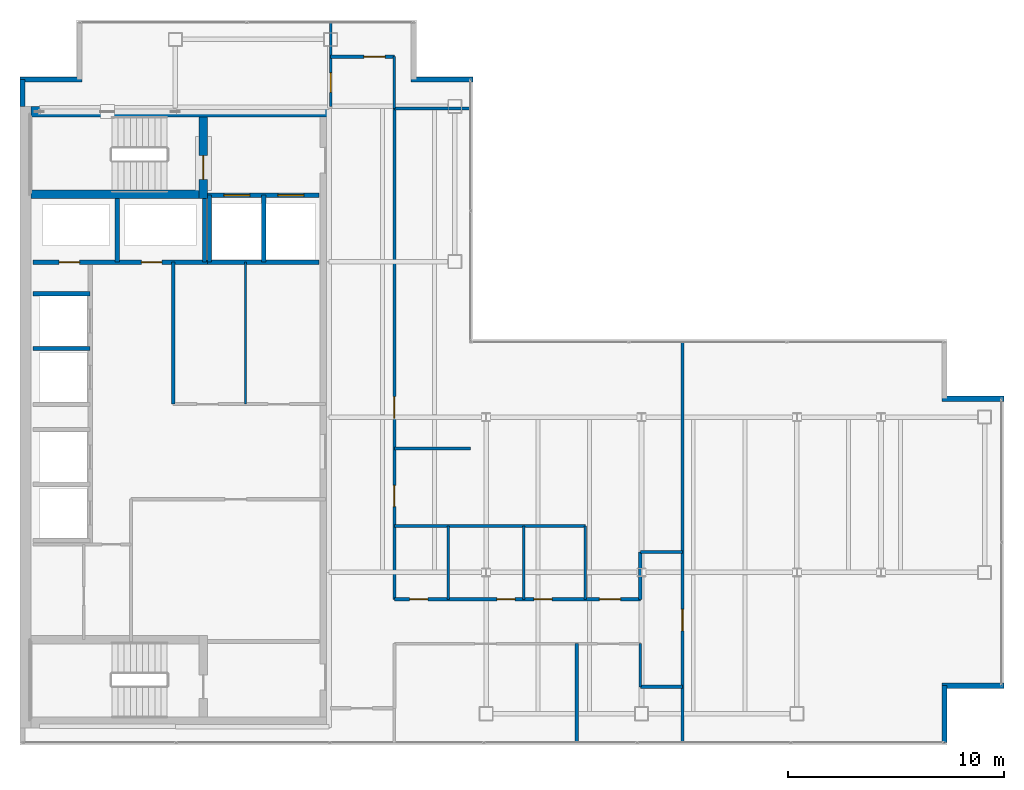
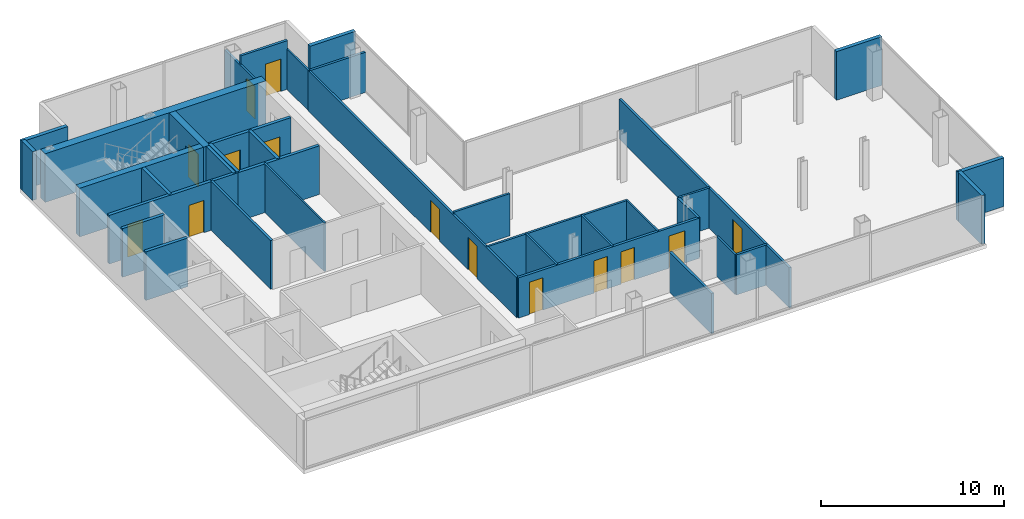
# One storey, part 21 of 23: 37 walls, 14 doors, 14 openings.
"""IFC4 building model written with IfcOpenShell, lengths in metres."""

from ifc_helpers import new_model, si_unit, direction, frame, frame_2d, origin, place, context, subcontext, project, spatial, rectangle, extrude, material, layer, layer_set, type_object, element, fill, save


model = new_model("IFC4")

# Units and contexts
model_context = context("Model", 3, precision=1e-05, world=origin(), true_north=direction((0.0, 1.0)))
body_context = subcontext(model_context, "Body", "Model", "MODEL_VIEW")
ifc_project = project(units=[si_unit("LENGTHUNIT", "METRE"), si_unit("AREAUNIT", "SQUARE_METRE"), si_unit("VOLUMEUNIT", "CUBIC_METRE"), si_unit("PLANEANGLEUNIT", "RADIAN"), si_unit("MASSUNIT", "GRAM", prefix="KILO")], contexts=[model_context])

# Site, building, storey
site_placement = place(None, origin())
site = spatial("IfcSite", under=ifc_project, at=site_placement, CompositionType="ELEMENT")
building_placement = place(site_placement, origin())
building = spatial("IfcBuilding", under=site, at=building_placement, Name="Cobrela Telecom Tower", CompositionType="ELEMENT")
storey_placement = place(building_placement, frame((0.0, 0.0, 276.14990234375)))
storey = spatial("IfcBuildingStorey", under=building, at=storey_placement, Name="L72", CompositionType="ELEMENT", Elevation=276.14990234375)

# Walls
ifc_material_1 = material(Name="Concrete C40/50", Category="concrete")
ifc_layer_1 = layer(ifc_material_1, 0.5)
ifc_layer_set_1 = layer_set([ifc_layer_1], Name="Concrete C40/50")
wall_type_1 = type_object("IfcWallType", Name="WALL-CORE-C40-500", PredefinedType="SHEAR", material=ifc_layer_set_1)
wall_1_placement = place(storey_placement, frame((0.5, 35.75, 0.0), z_axis=(0.0, 0.0, 1.0), x_axis=(1.0, 0.0, 0.0)))
element("IfcWall", 1, at=wall_1_placement, inside=storey, type_object=wall_type_1, Name="L72 North Core Shear Wall", PredefinedType="SHEAR", context=body_context, shape_type="SweptSolid", body=[
    extrude(rectangle(XDim=13.89990234375, YDim=0.5, at=frame_2d((6.949951171875, 0.0))), origin(), (0.0, 0.0, 1.0), 3.239990234375),
])
ifc_layer_2 = layer(ifc_material_1, 0.239990234375)
ifc_layer_set_2 = layer_set([ifc_layer_2], Name="Concrete C40/50")
wall_type_2 = type_object("IfcWallType", Name="WALL-EXT-300", PredefinedType="STANDARD", material=ifc_layer_set_2)
wall_2_placement = place(storey_placement, frame((0.1201171875, 36.0, 0.0), z_axis=(0.0, 0.0, 1.0), x_axis=(0.0, 1.0, 0.0)))
element("IfcWall", 2, at=wall_2_placement, inside=storey, type_object=wall_type_2, Name="L72 Insulated Facade Wall 02", PredefinedType="STANDARD", context=body_context, shape_type="SweptSolid", body=[
    extrude(rectangle(XDim=1.25, YDim=0.239990234375, at=frame_2d((0.625, 0.0))), origin(), (0.0, 0.0, 1.0), 3.239990234375),
])
for number, where, z_axis, x_axis, name in (
    (3, (0.0, 37.25, 0.0), (0.0, 0.0, 1.0), (1.0, 0.0, 0.0), "L72 Insulated Facade Wall 03"),
    (4, (18.1298828125, 37.25, 0.0), (0.0, 0.0, 1.0), (1.0, 0.0, 0.0), "L72 Insulated Facade Wall 07"),
    (5, (42.72998046875, 22.449951171875, 0.0), (0.0, 0.0, 1.0), (1.0, 0.0, 0.0), "L72 Insulated Facade Wall 11"),
    (6, (45.60009765625, 9.14990234375, 0.0), (0.0, 0.0, 1.0), (-1.0, 0.0, 0.0), "L72 Insulated Facade Wall 13"),
):
    element("IfcWall", number, at=place(storey_placement, frame(where, z_axis=z_axis, x_axis=x_axis)), inside=storey, type_object=wall_type_2, Name=name, PredefinedType="STANDARD", context=body_context, shape_type="SweptSolid", body=[
        extrude(rectangle(XDim=2.8701171875, YDim=0.239990234375, at=frame_2d((1.43505859375, 0.0))), origin(), (0.0, 0.0, 1.0), 3.239990234375),
    ])
wall_3_placement = place(storey_placement, frame((42.85009765625, 9.14990234375, 0.0), z_axis=(0.0, 0.0, 1.0), x_axis=(0.0, -1.0, 0.0)))
element("IfcWall", 7, at=wall_3_placement, inside=storey, type_object=wall_type_2, Name="L72 Insulated Facade Wall 14", PredefinedType="STANDARD", context=body_context, shape_type="SweptSolid", body=[
    extrude(rectangle(XDim=2.6298828125, YDim=0.239990234375, at=frame_2d((1.31494140625, 0.0))), origin(), (0.0, 0.0, 1.0), 3.239990234375),
])
ifc_material_2 = material(Name="Fire-Rated Gypsum Plasterboard")
ifc_layer_3 = layer(ifc_material_2, 0.110107421875)
ifc_layer_set_3 = layer_set([ifc_layer_3], Name="Fire-Rated Gypsum Plasterboard")
wall_type_3 = type_object("IfcWallType", Name="WALL-PART-110", PredefinedType="PARTITIONING", material=ifc_layer_set_3)
wall_4_placement = place(storey_placement, frame((10.449951171875, 22.199951171875, 0.0), z_axis=(0.0, 0.0, 1.0), x_axis=(0.0, 1.0, 0.0)))
element("IfcWall", 8, at=wall_4_placement, inside=storey, type_object=wall_type_3, Name="L72 Interior Partition CW-RECL-V", PredefinedType="PARTITIONING", context=body_context, shape_type="SweptSolid", body=[
    extrude(rectangle(XDim=6.580078125, YDim=0.110107421875, at=frame_2d((3.2900390625, 0.0))), origin(), (0.0, 0.0, 1.0), 3.239990234375),
])
wall_5_placement = place(storey_placement, frame((28.75, 9.10009765625, 0.0), z_axis=(0.0, 0.0, 1.0), x_axis=(0.0, 1.0, 0.0)))
element("IfcWall", 9, at=wall_5_placement, inside=storey, type_object=wall_type_3, Name="L72 Interior Partition W-CT-JW1", PredefinedType="PARTITIONING", context=body_context, shape_type="SweptSolid", body=[
    extrude(rectangle(XDim=2.0, YDim=0.110107421875, at=frame_2d((1.0, 0.0))), origin(), (0.0, 0.0, 1.0), 2.676025390625),
])
wall_6_placement = place(storey_placement, frame((17.35009765625, 35.89990234375, 0.0), z_axis=(0.0, 0.0, 1.0), x_axis=(0.0, 1.0, 0.0)))
element("IfcWall", 10, at=wall_6_placement, inside=storey, type_object=wall_type_3, Name="L72 Interior Partition W-CN-E", PredefinedType="PARTITIONING", context=body_context, shape_type="SweptSolid", body=[
    extrude(rectangle(XDim=2.400146484375, YDim=0.110107421875, at=frame_2d((1.2001953125, 0.0))), origin(), (0.0, 0.0, 1.0), 2.676025390625),
])
wall_7_placement = place(storey_placement, frame((26.199951171875, 13.14990234375, 0.0), z_axis=(0.0, 0.0, 1.0), x_axis=(0.0, 1.0, 0.0)))
element("IfcWall", 11, at=wall_7_placement, inside=storey, type_object=wall_type_3, Name="L72 Interior Partition W-WC-R", PredefinedType="PARTITIONING", context=body_context, shape_type="SweptSolid", body=[
    extrude(rectangle(XDim=3.400146484375, YDim=0.110107421875, at=frame_2d((1.7001953125, 0.0))), origin(), (0.0, 0.0, 1.0), 2.676025390625),
])
ifc_layer_4 = layer(ifc_material_2, 0.125)
ifc_layer_set_4 = layer_set([ifc_layer_4], Name="Fire-Rated Gypsum Plasterboard")
wall_type_4 = type_object("IfcWallType", Name="WALL-PART-125", PredefinedType="PARTITIONING", material=ifc_layer_set_4)
for number, where, z_axis, x_axis, name in (
    (12, (19.85009765625, 13.14990234375, 0.0), (0.0, 0.0, 1.0), (0.0, 1.0, 0.0), "L72 Interior Partition W-WCV-1"),
    (13, (23.35009765625, 13.14990234375, 0.0), (0.0, 0.0, 1.0), (0.0, 1.0, 0.0), "L72 Interior Partition W-WCV-2"),
):
    element("IfcWall", number, at=place(storey_placement, frame(where, z_axis=z_axis, x_axis=x_axis)), inside=storey, type_object=wall_type_4, Name=name, PredefinedType="PARTITIONING", context=body_context, shape_type="SweptSolid", body=[
        extrude(rectangle(XDim=3.400146484375, YDim=0.125, at=frame_2d((1.7001953125, 0.0))), origin(), (0.0, 0.0, 1.0), 2.676025390625),
    ])

# Wall, openings, doors
ifc_layer_5 = layer(ifc_material_2, 0.135009765625)
ifc_layer_set_5 = layer_set([ifc_layer_5], Name="Fire-Rated Gypsum Plasterboard")
wall_type_5 = type_object("IfcWallType", Name="WALL-PART-135", PredefinedType="PARTITIONING", material=ifc_layer_set_5)
wall_8_placement = place(storey_placement, frame((17.35009765625, 13.14990234375, 0.0), z_axis=(0.0, 0.0, 1.0), x_axis=(0.0, 1.0, 0.0)))
wall_8 = element("IfcWall", 14, at=wall_8_placement, inside=storey, type_object=wall_type_5, Name="L72 Interior Partition W-C-E2", PredefinedType="PARTITIONING", context=body_context, shape_type="SweptSolid", body=[
    extrude(rectangle(XDim=22.75, YDim=0.135009765625, at=frame_2d((11.375, 0.0))), origin(), (0.0, 0.0, 1.0), 2.676025390625),
])
opening_1_placement = place(wall_8_placement, frame((4.300048828125, 0.0, 0.0)))
opening_1 = element("IfcOpeningElement", 15, at=opening_1_placement, cuts=wall_8, Name="Opening DR-17", PredefinedType="OPENING", context=body_context, shape_type="SweptSolid", body=[
    extrude(rectangle(XDim=0.97998046875, YDim=2.14990234375, at=frame_2d((0.489990234375, 1.074951171875))), frame((0.0, 0.07958984375, 0.0), z_axis=(0.0, -1.0, 0.0), x_axis=(1.0, 0.0, 0.0)), (0.0, 0.0, 1.0), 0.158935546875),
])
opening_2_placement = place(wall_8_placement, frame((8.39990234375, 0.0, 0.0)))
opening_2 = element("IfcOpeningElement", 16, at=opening_2_placement, cuts=wall_8, Name="Opening DR-31", PredefinedType="OPENING", context=body_context, shape_type="SweptSolid", body=[
    extrude(rectangle(XDim=1.0, YDim=2.14990234375, at=frame_2d((0.5, 1.074951171875))), frame((0.0, 0.07958984375, 0.0), z_axis=(0.0, -1.0, 0.0), x_axis=(1.0, 0.0, 0.0)), (0.0, 0.0, 1.0), 0.158935546875),
])
ifc_material_3 = material(Name="Solid Engineered Oak Timber", Category="wood")
door_type_1 = type_object("IfcDoorType", Name="DOOR-INT-1000", OperationType="SINGLE_SWING_LEFT", PredefinedType="DOOR", material=ifc_material_3)
door_1_placement = place(opening_2_placement, origin())
door_1 = element("IfcDoor", 17, at=door_1_placement, inside=storey, type_object=door_type_1, Name="L72 Door DR-31", OperationType="SINGLE_SWING_LEFT", OverallHeight=2.14990234375, OverallWidth=1.0, PredefinedType="DOOR", context=body_context, shape_type="SweptSolid", body=[
    extrude(rectangle(XDim=1.0, YDim=2.14990234375, at=frame_2d((0.5, 1.074951171875))), frame((0.0, 0.02490234375, 0.0), z_axis=(0.0, -1.0, 0.0), x_axis=(1.0, 0.0, 0.0)), (0.0, 0.0, 1.0), 0.050048828125),
])
fill(opening_2, door_1)
door_type_2 = type_object("IfcDoorType", Name="DOOR-INT-980", OperationType="SINGLE_SWING_LEFT", PredefinedType="DOOR", material=ifc_material_3)
door_2_placement = place(opening_1_placement, origin())
door_2 = element("IfcDoor", 18, at=door_2_placement, inside=storey, type_object=door_type_2, Name="L72 Door DR-17", OperationType="SINGLE_SWING_RIGHT", OverallHeight=2.14990234375, OverallWidth=0.97998046875, PredefinedType="DOOR", context=body_context, shape_type="SweptSolid", body=[
    extrude(rectangle(XDim=0.97998046875, YDim=2.14990234375, at=frame_2d((0.489990234375, 1.074951171875))), frame((0.0, 0.02490234375, 0.0), z_axis=(0.0, -1.0, 0.0), x_axis=(1.0, 0.0, 0.0)), (0.0, 0.0, 1.0), 0.050048828125),
])
fill(opening_1, door_2)

# Wall
wall_9_placement = place(storey_placement, frame((28.75, 15.35009765625, 0.0), z_axis=(0.0, 0.0, 1.0), x_axis=(1.0, 0.0, 0.0)))
element("IfcWall", 19, at=wall_9_placement, inside=storey, type_object=wall_type_5, Name="L72 Interior Partition W-CT-N", PredefinedType="PARTITIONING", context=body_context, shape_type="SweptSolid", body=[
    extrude(rectangle(XDim=1.949951171875, YDim=0.135009765625, at=frame_2d((0.97509765625, 0.0))), origin(), (0.0, 0.0, 1.0), 2.676025390625),
])

# Wall, opening, door
wall_10_placement = place(storey_placement, frame((14.39990234375, 36.0, 0.0), z_axis=(0.0, 0.0, 1.0), x_axis=(0.0, 1.0, 0.0)))
wall_10 = element("IfcWall", 20, at=wall_10_placement, inside=storey, type_object=wall_type_5, Name="L72 Interior Partition W-CN-W", PredefinedType="PARTITIONING", context=body_context, shape_type="SweptSolid", body=[
    extrude(rectangle(XDim=3.8798828125, YDim=0.135009765625, at=frame_2d((1.93994140625, 0.0))), origin(), (0.0, 0.0, 1.0), 2.676025390625),
])
opening_3_placement = place(wall_10_placement, frame((0.64990234375, 0.0, 0.0)))
opening_3 = element("IfcOpeningElement", 21, at=opening_3_placement, cuts=wall_10, Name="Opening DR-41", PredefinedType="OPENING", context=body_context, shape_type="SweptSolid", body=[
    extrude(rectangle(XDim=0.89990234375, YDim=2.14990234375, at=frame_2d((0.449951171875, 1.074951171875))), frame((0.0, 0.07958984375, 0.0), z_axis=(0.0, -1.0, 0.0), x_axis=(1.0, 0.0, 0.0)), (0.0, 0.0, 1.0), 0.158935546875),
])
door_type_3 = type_object("IfcDoorType", Name="DOOR-INT-900", OperationType="SINGLE_SWING_LEFT", PredefinedType="DOOR", material=ifc_material_3)
door_3_placement = place(opening_3_placement, origin())
door_3 = element("IfcDoor", 22, at=door_3_placement, inside=storey, type_object=door_type_3, Name="L72 Door DR-41", OperationType="SINGLE_SWING_LEFT", OverallHeight=2.14990234375, OverallWidth=0.89990234375, PredefinedType="DOOR", context=body_context, shape_type="SweptSolid", body=[
    extrude(rectangle(XDim=0.89990234375, YDim=2.14990234375, at=frame_2d((0.449951171875, 1.074951171875))), frame((0.0, 0.02490234375, 0.0), z_axis=(0.0, -1.0, 0.0), x_axis=(1.0, 0.0, 0.0)), (0.0, 0.0, 1.0), 0.050048828125),
])
fill(opening_3, door_3)

# Walls
wall_11_placement = place(storey_placement, frame((17.35009765625, 16.550048828125, 0.0), z_axis=(0.0, 0.0, 1.0), x_axis=(1.0, 0.0, 0.0)))
element("IfcWall", 23, at=wall_11_placement, inside=storey, type_object=wall_type_5, Name="L72 Interior Partition W-WC-N", PredefinedType="PARTITIONING", context=body_context, shape_type="SweptSolid", body=[
    extrude(rectangle(XDim=8.849853515625, YDim=0.135009765625, at=frame_2d((4.4248046875, 0.0))), origin(), (0.0, 0.0, 1.0), 2.676025390625),
])
wall_12_placement = place(storey_placement, frame((17.35009765625, 20.14990234375, 0.0), z_axis=(0.0, 0.0, 1.0), x_axis=(1.0, 0.0, 0.0)))
element("IfcWall", 24, at=wall_12_placement, inside=storey, type_object=wall_type_5, Name="L72 Interior Partition W-NPAN-T", PredefinedType="PARTITIONING", context=body_context, shape_type="SweptSolid", body=[
    extrude(rectangle(XDim=3.52978515625, YDim=0.135009765625, at=frame_2d((1.764892578125, 0.0))), origin(), (0.0, 0.0, 1.0), 2.80810546875),
])
ifc_layer_6 = layer(ifc_material_2, 0.14990234375)
ifc_layer_set_6 = layer_set([ifc_layer_6], Name="Fire-Rated Gypsum Plasterboard")
wall_type_6 = type_object("IfcWallType", Name="WALL-PART-150", PredefinedType="PARTITIONING", material=ifc_layer_set_6)
wall_13_placement = place(storey_placement, frame((7.10009765625, 22.199951171875, 0.0), z_axis=(0.0, 0.0, 1.0), x_axis=(0.0, 1.0, 0.0)))
element("IfcWall", 25, at=wall_13_placement, inside=storey, type_object=wall_type_6, Name="L72 Interior Partition CW-RECL-W", PredefinedType="PARTITIONING", context=body_context, shape_type="SweptSolid", body=[
    extrude(rectangle(XDim=6.580078125, YDim=0.14990234375, at=frame_2d((3.2900390625, 0.0))), origin(), (0.0, 0.0, 1.0), 3.239990234375),
])
wall_14_placement = place(storey_placement, frame((28.75, 9.10009765625, 0.0), z_axis=(0.0, 0.0, 1.0), x_axis=(1.0, 0.0, 0.0)))
element("IfcWall", 26, at=wall_14_placement, inside=storey, type_object=wall_type_6, Name="L72 Interior Partition W-CT-S", PredefinedType="PARTITIONING", context=body_context, shape_type="SweptSolid", body=[
    extrude(rectangle(XDim=1.949951171875, YDim=0.14990234375, at=frame_2d((0.97509765625, 0.0))), origin(), (0.0, 0.0, 1.0), 2.676025390625),
])

# Wall, opening, door
wall_15_placement = place(storey_placement, frame((30.699951171875, 6.52001953125, 0.0), z_axis=(0.0, 0.0, 1.0), x_axis=(0.0, 1.0, 0.0)))
wall_15 = element("IfcWall", 27, at=wall_15_placement, inside=storey, type_object=wall_type_6, Name="L72 Interior Partition W-C-END", PredefinedType="PARTITIONING", context=body_context, shape_type="SweptSolid", body=[
    extrude(rectangle(XDim=18.56005859375, YDim=0.14990234375, at=frame_2d((9.280029296875, 0.0))), origin(), (0.0, 0.0, 1.0), 2.676025390625),
])
opening_4_placement = place(wall_15_placement, frame((5.169921875, 0.0, 0.0)))
opening_4 = element("IfcOpeningElement", 28, at=opening_4_placement, cuts=wall_15, Name="Opening DR-31", PredefinedType="OPENING", context=body_context, shape_type="SweptSolid", body=[
    extrude(rectangle(XDim=1.0, YDim=2.14990234375, at=frame_2d((0.5, 1.074951171875))), frame((0.0, 0.0869140625, 0.0), z_axis=(0.0, -1.0, 0.0), x_axis=(1.0, 0.0, 0.0)), (0.0, 0.0, 1.0), 0.173828125),
])
door_4_placement = place(opening_4_placement, origin())
door_4 = element("IfcDoor", 29, at=door_4_placement, inside=storey, type_object=door_type_1, Name="L72 Door DR-31", OperationType="SINGLE_SWING_LEFT", OverallHeight=2.14990234375, OverallWidth=1.0, PredefinedType="DOOR", context=body_context, shape_type="SweptSolid", body=[
    extrude(rectangle(XDim=1.0, YDim=2.14990234375, at=frame_2d((0.5, 1.074951171875))), frame((0.0, 0.02490234375, 0.0), z_axis=(0.0, -1.0, 0.0), x_axis=(1.0, 0.0, 0.0)), (0.0, 0.0, 1.0), 0.050048828125),
])
fill(opening_4, door_4)

# Wall
wall_16_placement = place(storey_placement, frame((17.35009765625, 35.89990234375, 0.0), z_axis=(0.0, 0.0, 1.0), x_axis=(1.0, 0.0, 0.0)))
element("IfcWall", 30, at=wall_16_placement, inside=storey, type_object=wall_type_6, Name="L72 Interior Partition W-NW2-S", PredefinedType="PARTITIONING", context=body_context, shape_type="SweptSolid", body=[
    extrude(rectangle(XDim=3.52978515625, YDim=0.14990234375, at=frame_2d((1.764892578125, 0.0))), origin(), (0.0, 0.0, 1.0), 2.676025390625),
])

# Wall, openings, doors
ifc_layer_7 = layer(ifc_material_2, 0.159912109375)
ifc_layer_set_7 = layer_set([ifc_layer_7], Name="Fire-Rated Gypsum Plasterboard")
wall_type_7 = type_object("IfcWallType", Name="WALL-PART-160", PredefinedType="PARTITIONING", material=ifc_layer_set_7)
wall_17_placement = place(storey_placement, frame((17.35009765625, 13.14990234375, 0.0), z_axis=(0.0, 0.0, 1.0), x_axis=(1.0, 0.0, 0.0)))
wall_17 = element("IfcWall", 31, at=wall_17_placement, inside=storey, type_object=wall_type_7, Name="L72 Interior Partition W-C-HN", PredefinedType="PARTITIONING", context=body_context, shape_type="SweptSolid", body=[
    extrude(rectangle(XDim=11.39990234375, YDim=0.159912109375, at=frame_2d((5.699951171875, 0.0))), origin(), (0.0, 0.0, 1.0), 2.676025390625),
])
opening_5_placement = place(wall_17_placement, frame((0.699951171875, 0.0, 0.0)))
opening_5 = element("IfcOpeningElement", 32, at=opening_5_placement, cuts=wall_17, Name="Opening DR-11", PredefinedType="OPENING", context=body_context, shape_type="SweptSolid", body=[
    extrude(rectangle(XDim=0.85009765625, YDim=2.14990234375, at=frame_2d((0.425048828125, 1.074951171875))), frame((0.0, 0.091796875, 0.0), z_axis=(0.0, -1.0, 0.0), x_axis=(1.0, 0.0, 0.0)), (0.0, 0.0, 1.0), 0.183837890625),
])
opening_6_placement = place(wall_17_placement, frame((4.75, 0.0, 0.0)))
opening_6 = element("IfcOpeningElement", 33, at=opening_6_placement, cuts=wall_17, Name="Opening DR-11", PredefinedType="OPENING", context=body_context, shape_type="SweptSolid", body=[
    extrude(rectangle(XDim=0.85009765625, YDim=2.14990234375, at=frame_2d((0.425048828125, 1.074951171875))), frame((0.0, 0.091796875, 0.0), z_axis=(0.0, -1.0, 0.0), x_axis=(1.0, 0.0, 0.0)), (0.0, 0.0, 1.0), 0.183837890625),
])
opening_7_placement = place(wall_17_placement, frame((6.4599609375, 0.0, 0.0)))
opening_7 = element("IfcOpeningElement", 34, at=opening_7_placement, cuts=wall_17, Name="Opening DR-11", PredefinedType="OPENING", context=body_context, shape_type="SweptSolid", body=[
    extrude(rectangle(XDim=0.85009765625, YDim=2.14990234375, at=frame_2d((0.425048828125, 1.074951171875))), frame((0.0, 0.091796875, 0.0), z_axis=(0.0, -1.0, 0.0), x_axis=(1.0, 0.0, 0.0)), (0.0, 0.0, 1.0), 0.183837890625),
])
opening_8_placement = place(wall_17_placement, frame((9.5, 0.0, 0.0)))
opening_8 = element("IfcOpeningElement", 35, at=opening_8_placement, cuts=wall_17, Name="Opening DR-17", PredefinedType="OPENING", context=body_context, shape_type="SweptSolid", body=[
    extrude(rectangle(XDim=0.97998046875, YDim=2.14990234375, at=frame_2d((0.489990234375, 1.074951171875))), frame((0.0, 0.091796875, 0.0), z_axis=(0.0, -1.0, 0.0), x_axis=(1.0, 0.0, 0.0)), (0.0, 0.0, 1.0), 0.183837890625),
])
door_type_4 = type_object("IfcDoorType", Name="DOOR-INT-850", OperationType="SINGLE_SWING_LEFT", PredefinedType="DOOR", material=ifc_material_3)
door_5_placement = place(opening_5_placement, origin())
door_5 = element("IfcDoor", 36, at=door_5_placement, inside=storey, type_object=door_type_4, Name="L72 Door DR-11", OperationType="SINGLE_SWING_LEFT", OverallHeight=2.14990234375, OverallWidth=0.85009765625, PredefinedType="DOOR", context=body_context, shape_type="SweptSolid", body=[
    extrude(rectangle(XDim=0.85009765625, YDim=2.14990234375, at=frame_2d((0.425048828125, 1.074951171875))), frame((0.0, 0.02490234375, 0.0), z_axis=(0.0, -1.0, 0.0), x_axis=(1.0, 0.0, 0.0)), (0.0, 0.0, 1.0), 0.050048828125),
])
fill(opening_5, door_5)
door_6_placement = place(opening_6_placement, origin())
door_6 = element("IfcDoor", 37, at=door_6_placement, inside=storey, type_object=door_type_4, Name="L72 Door DR-11", OperationType="SINGLE_SWING_RIGHT", OverallHeight=2.14990234375, OverallWidth=0.85009765625, PredefinedType="DOOR", context=body_context, shape_type="SweptSolid", body=[
    extrude(rectangle(XDim=0.85009765625, YDim=2.14990234375, at=frame_2d((0.425048828125, 1.074951171875))), frame((0.0, 0.02490234375, 0.0), z_axis=(0.0, -1.0, 0.0), x_axis=(1.0, 0.0, 0.0)), (0.0, 0.0, 1.0), 0.050048828125),
])
fill(opening_6, door_6)
door_7_placement = place(opening_7_placement, origin())
door_7 = element("IfcDoor", 38, at=door_7_placement, inside=storey, type_object=door_type_4, Name="L72 Door DR-11", OperationType="SINGLE_SWING_LEFT", OverallHeight=2.14990234375, OverallWidth=0.85009765625, PredefinedType="DOOR", context=body_context, shape_type="SweptSolid", body=[
    extrude(rectangle(XDim=0.85009765625, YDim=2.14990234375, at=frame_2d((0.425048828125, 1.074951171875))), frame((0.0, 0.02490234375, 0.0), z_axis=(0.0, -1.0, 0.0), x_axis=(1.0, 0.0, 0.0)), (0.0, 0.0, 1.0), 0.050048828125),
])
fill(opening_7, door_7)
door_8_placement = place(opening_8_placement, origin())
door_8 = element("IfcDoor", 39, at=door_8_placement, inside=storey, type_object=door_type_2, Name="L72 Door DR-17", OperationType="SINGLE_SWING_RIGHT", OverallHeight=2.14990234375, OverallWidth=0.97998046875, PredefinedType="DOOR", context=body_context, shape_type="SweptSolid", body=[
    extrude(rectangle(XDim=0.97998046875, YDim=2.14990234375, at=frame_2d((0.489990234375, 1.074951171875))), frame((0.0, 0.02490234375, 0.0), z_axis=(0.0, -1.0, 0.0), x_axis=(1.0, 0.0, 0.0)), (0.0, 0.0, 1.0), 0.050048828125),
])
fill(opening_8, door_8)

# Wall
wall_18_placement = place(storey_placement, frame((28.75, 13.14990234375, 0.0), z_axis=(0.0, 0.0, 1.0), x_axis=(0.0, 1.0, 0.0)))
element("IfcWall", 40, at=wall_18_placement, inside=storey, type_object=wall_type_7, Name="L72 Interior Partition W-CT-JW2", PredefinedType="PARTITIONING", context=body_context, shape_type="SweptSolid", body=[
    extrude(rectangle(XDim=2.2001953125, YDim=0.159912109375, at=frame_2d((1.10009765625, 0.0))), origin(), (0.0, 0.0, 1.0), 2.676025390625),
])

# Wall, opening, door
wall_19_placement = place(storey_placement, frame((14.39990234375, 38.300048828125, 0.0), z_axis=(0.0, 0.0, 1.0), x_axis=(1.0, 0.0, 0.0)))
wall_19 = element("IfcWall", 41, at=wall_19_placement, inside=storey, type_object=wall_type_7, Name="L72 Interior Partition W-CN-T", PredefinedType="PARTITIONING", context=body_context, shape_type="SweptSolid", body=[
    extrude(rectangle(XDim=2.9501953125, YDim=0.159912109375, at=frame_2d((1.47509765625, 0.0))), origin(), (0.0, 0.0, 1.0), 3.239990234375),
])
opening_9_placement = place(wall_19_placement, frame((1.5400390625, 0.0, 0.0)))
opening_9 = element("IfcOpeningElement", 42, at=opening_9_placement, cuts=wall_19, Name="Opening DR-17", PredefinedType="OPENING", context=body_context, shape_type="SweptSolid", body=[
    extrude(rectangle(XDim=0.97998046875, YDim=2.14990234375, at=frame_2d((0.489990234375, 1.074951171875))), frame((0.0, 0.091796875, 0.0), z_axis=(0.0, -1.0, 0.0), x_axis=(1.0, 0.0, 0.0)), (0.0, 0.0, 1.0), 0.183837890625),
])
door_9_placement = place(opening_9_placement, origin())
door_9 = element("IfcDoor", 43, at=door_9_placement, inside=storey, type_object=door_type_2, Name="L72 Door DR-17", OperationType="SINGLE_SWING_RIGHT", OverallHeight=2.14990234375, OverallWidth=0.97998046875, PredefinedType="DOOR", context=body_context, shape_type="SweptSolid", body=[
    extrude(rectangle(XDim=0.97998046875, YDim=2.14990234375, at=frame_2d((0.489990234375, 1.074951171875))), frame((0.0, 0.02490234375, 0.0), z_axis=(0.0, -1.0, 0.0), x_axis=(1.0, 0.0, 0.0)), (0.0, 0.0, 1.0), 0.050048828125),
])
fill(opening_9, door_9)

# Wall
wall_20_placement = place(storey_placement, frame((25.800048828125, 6.52001953125, 0.0), z_axis=(0.0, 0.0, 1.0), x_axis=(0.0, 1.0, 0.0)))
element("IfcWall", 44, at=wall_20_placement, inside=storey, type_object=wall_type_7, Name="L72 Interior Partition W-SV-1", PredefinedType="PARTITIONING", context=body_context, shape_type="SweptSolid", body=[
    extrude(rectangle(XDim=4.580078125, YDim=0.159912109375, at=frame_2d((2.2900390625, 0.0))), origin(), (0.0, 0.0, 1.0), 2.676025390625),
])

# Wall, openings, doors
ifc_layer_8 = layer(ifc_material_2, 0.199951171875)
ifc_layer_set_8 = layer_set([ifc_layer_8], Name="Fire-Rated Gypsum Plasterboard")
wall_type_8 = type_object("IfcWallType", Name="WALL-SHAFT-200", PredefinedType="PARTITIONING", material=ifc_layer_set_8)
wall_21_placement = place(storey_placement, frame((8.699951171875, 31.8798828125, 0.0), z_axis=(0.0, 0.0, 1.0), x_axis=(1.0, 0.0, 0.0)))
wall_21 = element("IfcWall", 45, at=wall_21_placement, inside=storey, type_object=wall_type_8, Name="L72 Shaft Enclosure CW-FFL-S", PredefinedType="PARTITIONING", context=body_context, shape_type="SweptSolid", body=[
    extrude(rectangle(XDim=5.150146484375, YDim=0.199951171875, at=frame_2d((2.5751953125, 0.0))), origin(), (0.0, 0.0, 1.0), 3.239990234375),
])
opening_10_placement = place(wall_21_placement, frame((0.75, 0.0, 0.0)))
opening_10 = element("IfcOpeningElement", 46, at=opening_10_placement, cuts=wall_21, Name="Opening LD-2", PredefinedType="OPENING", context=body_context, shape_type="SweptSolid", body=[
    extrude(rectangle(XDim=1.199951171875, YDim=2.199951171875, at=frame_2d((0.60009765625, 1.10009765625))), frame((0.0, 0.11181640625, 0.0), z_axis=(0.0, -1.0, 0.0), x_axis=(1.0, 0.0, 0.0)), (0.0, 0.0, 1.0), 0.223876953125),
])
opening_11_placement = place(wall_21_placement, frame((3.25, 0.0, 0.0)))
opening_11 = element("IfcOpeningElement", 47, at=opening_11_placement, cuts=wall_21, Name="Opening LD-2", PredefinedType="OPENING", context=body_context, shape_type="SweptSolid", body=[
    extrude(rectangle(XDim=1.199951171875, YDim=2.199951171875, at=frame_2d((0.60009765625, 1.10009765625))), frame((0.0, 0.11181640625, 0.0), z_axis=(0.0, -1.0, 0.0), x_axis=(1.0, 0.0, 0.0)), (0.0, 0.0, 1.0), 0.223876953125),
])
ifc_material_4 = material(Name="Steel ASTM A36", Category="steel")
door_type_5 = type_object("IfcDoorType", Name="DOOR-LD-FFL", OperationType="SINGLE_SWING_LEFT", PredefinedType="DOOR", material=ifc_material_4)
door_10_placement = place(opening_10_placement, origin())
door_10 = element("IfcDoor", 48, at=door_10_placement, inside=storey, type_object=door_type_5, Name="L72 Lift Landing Door LD-2", OperationType="DOUBLE_DOOR_SLIDING", OverallHeight=2.199951171875, OverallWidth=1.199951171875, PredefinedType="DOOR", context=body_context, shape_type="SweptSolid", body=[
    extrude(rectangle(XDim=1.199951171875, YDim=2.199951171875, at=frame_2d((0.60009765625, 1.10009765625))), frame((0.0, 0.02490234375, 0.0), z_axis=(0.0, -1.0, 0.0), x_axis=(1.0, 0.0, 0.0)), (0.0, 0.0, 1.0), 0.050048828125),
])
fill(opening_10, door_10)
door_11_placement = place(opening_11_placement, origin())
door_11 = element("IfcDoor", 49, at=door_11_placement, inside=storey, type_object=door_type_5, Name="L72 Lift Landing Door LD-2", OperationType="DOUBLE_DOOR_SLIDING", OverallHeight=2.199951171875, OverallWidth=1.199951171875, PredefinedType="DOOR", context=body_context, shape_type="SweptSolid", body=[
    extrude(rectangle(XDim=1.199951171875, YDim=2.199951171875, at=frame_2d((0.60009765625, 1.10009765625))), frame((0.0, 0.02490234375, 0.0), z_axis=(0.0, -1.0, 0.0), x_axis=(1.0, 0.0, 0.0)), (0.0, 0.0, 1.0), 0.050048828125),
])
fill(opening_11, door_11)

# Walls
wall_22_placement = place(storey_placement, frame((8.699951171875, 28.780029296875, 0.0), z_axis=(0.0, 0.0, 1.0), x_axis=(1.0, 0.0, 0.0)))
element("IfcWall", 50, at=wall_22_placement, inside=storey, type_object=wall_type_8, Name="L72 Shaft Enclosure CW-FFL-S2", PredefinedType="PARTITIONING", context=body_context, shape_type="SweptSolid", body=[
    extrude(rectangle(XDim=5.150146484375, YDim=0.199951171875, at=frame_2d((2.5751953125, 0.0))), origin(), (0.0, 0.0, 1.0), 3.239990234375),
])
for number, where, z_axis, x_axis, name in (
    (51, (8.780029296875, 28.780029296875, 0.0), (0.0, 0.0, 1.0), (0.0, 1.0, 0.0), "L72 Shaft Enclosure CW-FFL-W"),
    (52, (11.300048828125, 28.780029296875, 0.0), (0.0, 0.0, 1.0), (0.0, 1.0, 0.0), "L72 Shaft Enclosure CW-FFL-M"),
):
    element("IfcWall", number, at=place(storey_placement, frame(where, z_axis=z_axis, x_axis=x_axis)), inside=storey, type_object=wall_type_8, Name=name, PredefinedType="PARTITIONING", context=body_context, shape_type="SweptSolid", body=[
        extrude(rectangle(XDim=3.099853515625, YDim=0.199951171875, at=frame_2d((1.5498046875, 0.0))), origin(), (0.0, 0.0, 1.0), 3.239990234375),
    ])

# Wall, openings, doors
wall_23_placement = place(storey_placement, frame((0.60009765625, 28.780029296875, 0.0), z_axis=(0.0, 0.0, 1.0), x_axis=(1.0, 0.0, 0.0)))
wall_23 = element("IfcWall", 53, at=wall_23_placement, inside=storey, type_object=wall_type_8, Name="L72 Shaft Enclosure CW-RIS-S", PredefinedType="PARTITIONING", context=body_context, shape_type="SweptSolid", body=[
    extrude(rectangle(XDim=8.179931640625, YDim=0.199951171875, at=frame_2d((4.08984375, 0.0))), origin(), (0.0, 0.0, 1.0), 3.239990234375),
])
opening_12_placement = place(wall_23_placement, frame((1.2099609375, 0.0, 0.0)))
opening_12 = element("IfcOpeningElement", 54, at=opening_12_placement, cuts=wall_23, Name="Opening DR-65", PredefinedType="OPENING", context=body_context, shape_type="SweptSolid", body=[
    extrude(rectangle(XDim=0.949951171875, YDim=2.14990234375, at=frame_2d((0.47509765625, 1.074951171875))), frame((0.0, 0.11181640625, 0.0), z_axis=(0.0, -1.0, 0.0), x_axis=(1.0, 0.0, 0.0)), (0.0, 0.0, 1.0), 0.223876953125),
])
opening_13_placement = place(wall_23_placement, frame((5.030029296875, 0.0, 0.0)))
opening_13 = element("IfcOpeningElement", 55, at=opening_13_placement, cuts=wall_23, Name="Opening DR-65", PredefinedType="OPENING", context=body_context, shape_type="SweptSolid", body=[
    extrude(rectangle(XDim=0.949951171875, YDim=2.14990234375, at=frame_2d((0.47509765625, 1.074951171875))), frame((0.0, 0.11181640625, 0.0), z_axis=(0.0, -1.0, 0.0), x_axis=(1.0, 0.0, 0.0)), (0.0, 0.0, 1.0), 0.223876953125),
])
door_type_6 = type_object("IfcDoorType", Name="DOOR-FD60-950", OperationType="SINGLE_SWING_LEFT", PredefinedType="DOOR", material=ifc_material_4)
door_12_placement = place(opening_12_placement, origin())
door_12 = element("IfcDoor", 56, at=door_12_placement, inside=storey, type_object=door_type_6, Name="L72 Door DR-65", OperationType="SINGLE_SWING_LEFT", OverallHeight=2.14990234375, OverallWidth=0.949951171875, PredefinedType="DOOR", context=body_context, shape_type="SweptSolid", body=[
    extrude(rectangle(XDim=0.949951171875, YDim=2.14990234375, at=frame_2d((0.47509765625, 1.074951171875))), frame((0.0, 0.02490234375, 0.0), z_axis=(0.0, -1.0, 0.0), x_axis=(1.0, 0.0, 0.0)), (0.0, 0.0, 1.0), 0.050048828125),
])
fill(opening_12, door_12)
door_13_placement = place(opening_13_placement, origin())
door_13 = element("IfcDoor", 57, at=door_13_placement, inside=storey, type_object=door_type_6, Name="L72 Door DR-65", OperationType="SINGLE_SWING_RIGHT", OverallHeight=2.14990234375, OverallWidth=0.949951171875, PredefinedType="DOOR", context=body_context, shape_type="SweptSolid", body=[
    extrude(rectangle(XDim=0.949951171875, YDim=2.14990234375, at=frame_2d((0.47509765625, 1.074951171875))), frame((0.0, 0.02490234375, 0.0), z_axis=(0.0, -1.0, 0.0), x_axis=(1.0, 0.0, 0.0)), (0.0, 0.0, 1.0), 0.050048828125),
])
fill(opening_13, door_13)

# Walls
for number, where, z_axis, x_axis, name in (
    (58, (4.5, 28.780029296875, 0.0), (0.0, 0.0, 1.0), (0.0, 1.0, 0.0), "L72 Shaft Enclosure CW-RIS-M"),
    (59, (8.550048828125, 28.780029296875, 0.0), (0.0, 0.0, 1.0), (0.0, 1.0, 0.0), "L72 Shaft Enclosure CW-RIS-E"),
):
    element("IfcWall", number, at=place(storey_placement, frame(where, z_axis=z_axis, x_axis=x_axis)), inside=storey, type_object=wall_type_8, Name=name, PredefinedType="PARTITIONING", context=body_context, shape_type="SweptSolid", body=[
        extrude(rectangle(XDim=2.93994140625, YDim=0.199951171875, at=frame_2d((1.469970703125, 0.0))), origin(), (0.0, 0.0, 1.0), 3.239990234375),
    ])
for number, where, z_axis, x_axis, name in (
    (60, (0.60009765625, 24.780029296875, 0.0), (0.0, 0.0, 1.0), (1.0, 0.0, 0.0), "L72 Shaft Enclosure CW-PLH-D12"),
    (61, (0.60009765625, 27.320068359375, 0.0), (0.0, 0.0, 1.0), (1.0, 0.0, 0.0), "L72 Shaft Enclosure CW-PLH-TOP"),
):
    element("IfcWall", number, at=place(storey_placement, frame(where, z_axis=z_axis, x_axis=x_axis)), inside=storey, type_object=wall_type_8, Name=name, PredefinedType="PARTITIONING", context=body_context, shape_type="SweptSolid", body=[
        extrude(rectangle(XDim=2.64990234375, YDim=0.199951171875, at=frame_2d((1.324951171875, 0.0))), origin(), (0.0, 0.0, 1.0), 3.239990234375),
    ])
ifc_layer_9 = layer(ifc_material_1, 0.39990234375)
ifc_layer_set_9 = layer_set([ifc_layer_9], Name="Concrete C40/50")
wall_type_9 = type_object("IfcWallType", Name="WALL-SHAFT-C40-400", PredefinedType="SHEAR", material=ifc_layer_set_9)
wall_24_placement = place(storey_placement, frame((0.5, 31.919921875, 0.0), z_axis=(0.0, 0.0, 1.0), x_axis=(1.0, 0.0, 0.0)))
element("IfcWall", 62, at=wall_24_placement, inside=storey, type_object=wall_type_9, Name="L72 North Stair Shear Wall", PredefinedType="SHEAR", context=body_context, shape_type="SweptSolid", body=[
    extrude(rectangle(XDim=7.800048828125, YDim=0.39990234375, at=frame_2d((3.89990234375, 0.0))), origin(), (0.0, 0.0, 1.0), 3.239990234375),
])

# Wall, opening, door
wall_25_placement = place(storey_placement, frame((8.5, 31.719970703125, 0.0), z_axis=(0.0, 0.0, 1.0), x_axis=(0.0, 1.0, 0.0)))
wall_25 = element("IfcWall", 63, at=wall_25_placement, inside=storey, type_object=wall_type_9, Name="L72 North Stair Lobby Shear Wall", PredefinedType="SHEAR", context=body_context, shape_type="SweptSolid", body=[
    extrude(rectangle(XDim=3.780029296875, YDim=0.39990234375, at=frame_2d((1.89013671875, 0.0))), origin(), (0.0, 0.0, 1.0), 3.239990234375),
])
opening_14_placement = place(wall_25_placement, frame((0.89990234375, 0.0, 0.0)))
opening_14 = element("IfcOpeningElement", 64, at=opening_14_placement, cuts=wall_25, Name="Opening DR-59", PredefinedType="OPENING", context=body_context, shape_type="SweptSolid", body=[
    extrude(rectangle(XDim=1.10009765625, YDim=2.14990234375, at=frame_2d((0.550048828125, 1.074951171875))), frame((0.0, 0.2119140625, 0.0), z_axis=(0.0, -1.0, 0.0), x_axis=(1.0, 0.0, 0.0)), (0.0, 0.0, 1.0), 0.423828125),
])
door_type_7 = type_object("IfcDoorType", Name="DOOR-FD60-1100", OperationType="SINGLE_SWING_LEFT", PredefinedType="DOOR", material=ifc_material_4)
door_14_placement = place(opening_14_placement, origin())
door_14 = element("IfcDoor", 65, at=door_14_placement, inside=storey, type_object=door_type_7, Name="L72 Door DR-59", OperationType="SINGLE_SWING_RIGHT", OverallHeight=2.14990234375, OverallWidth=1.10009765625, PredefinedType="DOOR", context=body_context, shape_type="SweptSolid", body=[
    extrude(rectangle(XDim=1.10009765625, YDim=2.14990234375, at=frame_2d((0.550048828125, 1.074951171875))), frame((0.0, 0.02490234375, 0.0), z_axis=(0.0, -1.0, 0.0), x_axis=(1.0, 0.0, 0.0)), (0.0, 0.0, 1.0), 0.050048828125),
])
fill(opening_14, door_14)

save(model, "model.ifc")
